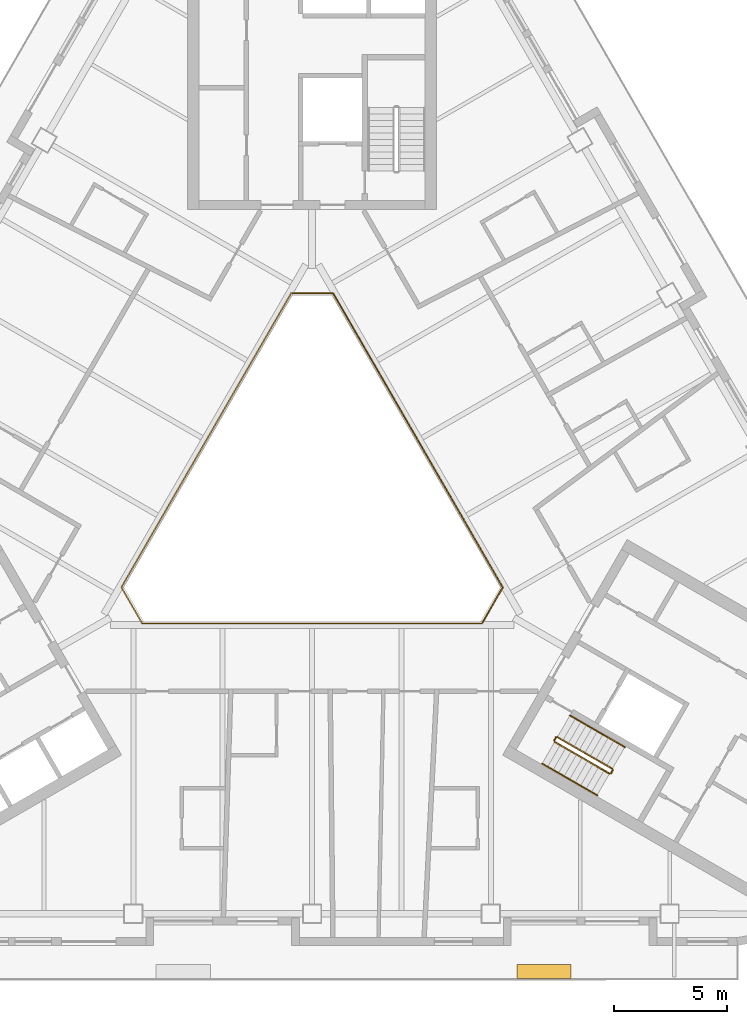
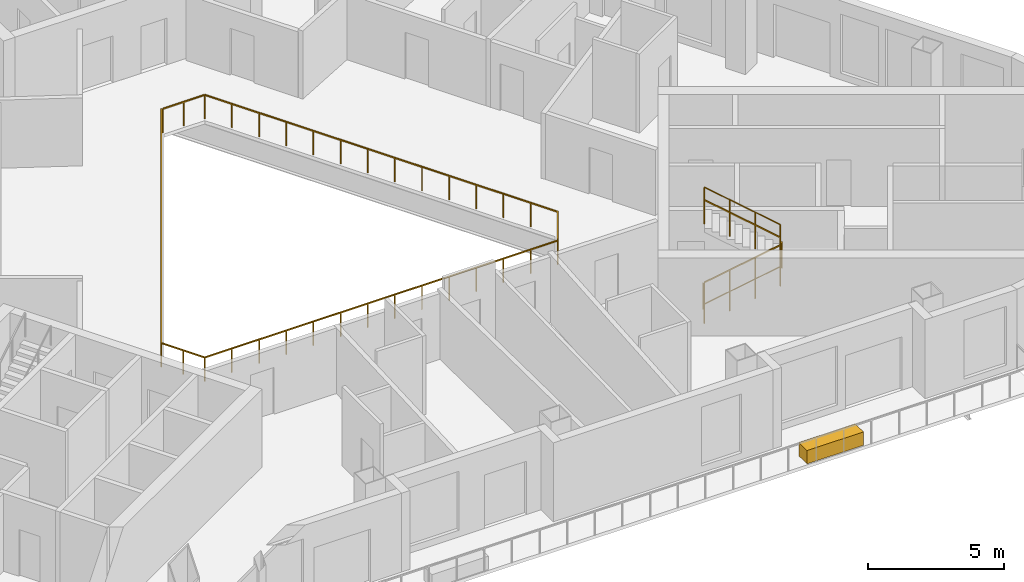
# One storey, part 12 of 14: 8 railings, 1 covering.
"""IFC4 building model written with IfcOpenShell, lengths in metres."""

from ifc_helpers import new_model, si_unit, direction, frame, origin, origin_2d, place, context, subcontext, project, spatial, rectangle, circle, extrude, material, type_object, element, save


model = new_model("IFC4")

# Units and contexts
model_context = context("Model", 3, precision=1e-05, world=origin(), true_north=direction((0.0, 1.0)))
body_context = subcontext(model_context, "Body", "Model", "MODEL_VIEW")
ifc_project = project(units=[si_unit("LENGTHUNIT", "METRE"), si_unit("AREAUNIT", "SQUARE_METRE"), si_unit("VOLUMEUNIT", "CUBIC_METRE"), si_unit("PLANEANGLEUNIT", "RADIAN"), si_unit("MASSUNIT", "GRAM", prefix="KILO")], contexts=[model_context])

# Site, building, storey
site_placement = place(None, origin())
site = spatial("IfcSite", under=ifc_project, at=site_placement, CompositionType="ELEMENT")
building_placement = place(site_placement, origin())
building = spatial("IfcBuilding", under=site, at=building_placement, Name="Apuvela Tower Hotel", CompositionType="ELEMENT")
storey_placement = place(building_placement, frame((0.0, 0.0, 172.5)))
storey = spatial("IfcBuildingStorey", under=building, at=storey_placement, Name="L41", CompositionType="ELEMENT", Elevation=172.5)

# Railings
ifc_material_1 = material(Name="Steel S275 balustrade", Category="steel")
railing_type_1 = type_object("IfcRailingType", Name="COR-GUARD-1100", PredefinedType="GUARDRAIL", material=ifc_material_1)
railing_1_placement = place(storey_placement, frame((10.718994140625, -10.63427734375, 0.168212890625)))
element("IfcRailing", 1, at=railing_1_placement, inside=storey, type_object=railing_type_1, Name="L41 ST3 stair guard 1", PredefinedType="GUARDRAIL", context=body_context, shape_type="SweptSolid", body=[
    extrude(rectangle(XDim=0.048095703125, YDim=0.048095703125, at=origin_2d()), frame((0.0, 0.0, 1.076171875), z_axis=(0.742390482028, -0.42860119049, 0.514934356695), x_axis=(0.49998411664, 0.866034573852, 0.0)), (0.0, 0.0, 1.0), 3.26611328125),
    extrude(rectangle(XDim=0.0419921875, YDim=0.0419921875, at=origin_2d()), origin(), (0.0, 0.0, 1.0), 1.052001953125),
    extrude(rectangle(XDim=0.0419921875, YDim=0.0419921875, at=origin_2d()), frame((0.808349609375, -0.466552734375, 0.560546875)), (0.0, 0.0, 1.0), 1.052001953125),
    extrude(rectangle(XDim=0.0419921875, YDim=0.0419921875, at=origin_2d()), frame((1.616455078125, -0.933349609375, 1.121337890625)), (0.0, 0.0, 1.0), 1.052001953125),
    extrude(rectangle(XDim=0.0419921875, YDim=0.0419921875, at=origin_2d()), frame((2.4248046875, -1.39990234375, 1.681884765625)), (0.0, 0.0, 1.0), 1.052001953125),
])
railing_2_placement = place(storey_placement, frame((13.212158203125, -12.015869140625, 1.85009765625)))
element("IfcRailing", 2, at=railing_2_placement, inside=storey, type_object=railing_type_1, Name="L41 ST3 stair guard 2", PredefinedType="GUARDRAIL", context=body_context, shape_type="SweptSolid", body=[
    extrude(rectangle(XDim=0.048095703125, YDim=0.048095703125, at=origin_2d()), frame((0.0, 0.0, 1.076171875), z_axis=(0.499816412211, 0.866131372301, 0.0), x_axis=(-0.866131372301, 0.499816412211, 0.0)), (0.0, 0.0, 1.0), 0.14990234375),
    extrude(rectangle(XDim=0.0419921875, YDim=0.0419921875, at=origin_2d()), origin(), (0.0, 0.0, 1.0), 1.052001953125),
    extrude(rectangle(XDim=0.0419921875, YDim=0.0419921875, at=origin_2d()), frame((0.074951171875, 0.1298828125, 0.0)), (0.0, 0.0, 1.0), 1.052001953125),
])
railing_3_placement = place(storey_placement, frame((13.268798828125, -11.817626953125, 2.01806640625)))
element("IfcRailing", 3, at=railing_3_placement, inside=storey, type_object=railing_type_1, Name="L41 ST3 stair guard 3", PredefinedType="GUARDRAIL", context=body_context, shape_type="SweptSolid", body=[
    extrude(rectangle(XDim=0.048095703125, YDim=0.048095703125, at=origin_2d()), frame((0.0, 0.0, 1.076171875), z_axis=(-0.742390482028, 0.42860119049, 0.514934356695), x_axis=(-0.49998411664, -0.866034573852, 0.0)), (0.0, 0.0, 1.0), 3.26611328125),
    extrude(rectangle(XDim=0.0419921875, YDim=0.0419921875, at=origin_2d()), origin(), (0.0, 0.0, 1.0), 1.052001953125),
    extrude(rectangle(XDim=0.0419921875, YDim=0.0419921875, at=origin_2d()), frame((-0.808349609375, 0.466552734375, 0.560546875)), (0.0, 0.0, 1.0), 1.052001953125),
    extrude(rectangle(XDim=0.0419921875, YDim=0.0419921875, at=origin_2d()), frame((-1.616455078125, 0.933349609375, 1.121337890625)), (0.0, 0.0, 1.0), 1.052001953125),
    extrude(rectangle(XDim=0.0419921875, YDim=0.0419921875, at=origin_2d()), frame((-2.4248046875, 1.39990234375, 1.681884765625)), (0.0, 0.0, 1.0), 1.052001953125),
])
railing_4_placement = place(storey_placement, frame((10.70068359375, -10.56591796875, 0.0)))
element("IfcRailing", 4, at=railing_4_placement, inside=storey, type_object=railing_type_1, Name="L41 ST3 stair guard 4", PredefinedType="GUARDRAIL", context=body_context, shape_type="SweptSolid", body=[
    extrude(rectangle(XDim=0.048095703125, YDim=0.048095703125, at=origin_2d()), frame((0.0, 0.0, 1.076171875), z_axis=(0.499816412211, 0.866131372301, 0.0), x_axis=(-0.866131372301, 0.499816412211, 0.0)), (0.0, 0.0, 1.0), 0.14990234375),
    extrude(rectangle(XDim=0.0419921875, YDim=0.0419921875, at=origin_2d()), origin(), (0.0, 0.0, 1.0), 1.052001953125),
    extrude(rectangle(XDim=0.0419921875, YDim=0.0419921875, at=origin_2d()), frame((0.074951171875, 0.1298828125, 0.0)), (0.0, 0.0, 1.0), 1.052001953125),
])
ifc_material_2 = material(Name="Stainless steel 316 handrail", Category="steel")
railing_type_2 = type_object("IfcRailingType", Name="COR-HANDRAIL-900", PredefinedType="HANDRAIL", material=ifc_material_2)
railing_5_placement = place(storey_placement, frame((10.1689453125, -11.5869140625, 0.168212890625)))
element("IfcRailing", 5, at=railing_5_placement, inside=storey, type_object=railing_type_2, Name="L41 ST3 stair handrail 1", PredefinedType="HANDRAIL", context=body_context, shape_type="SweptSolid", body=[
    extrude(circle(Radius=0.02392578125, at=origin_2d()), frame((0.0, 0.0, 0.8759765625), z_axis=(0.742390482028, -0.42860119049, 0.514934356695), x_axis=(0.49998411664, 0.866034573852, 0.0)), (0.0, 0.0, 1.0), 3.26611328125),
    extrude(rectangle(XDim=0.0419921875, YDim=0.0419921875, at=origin_2d()), origin(), (0.0, 0.0, 1.0), 0.851806640625),
    extrude(rectangle(XDim=0.0419921875, YDim=0.0419921875, at=origin_2d()), frame((0.808349609375, -0.466552734375, 0.560546875)), (0.0, 0.0, 1.0), 0.851806640625),
    extrude(rectangle(XDim=0.0419921875, YDim=0.0419921875, at=origin_2d()), frame((1.616455078125, -0.933349609375, 1.121337890625)), (0.0, 0.0, 1.0), 0.851806640625),
    extrude(rectangle(XDim=0.0419921875, YDim=0.0419921875, at=origin_2d()), frame((2.4248046875, -1.39990234375, 1.681884765625)), (0.0, 0.0, 1.0), 0.851806640625),
])
railing_6_placement = place(storey_placement, frame((13.81884765625, -10.864990234375, 2.01806640625)))
element("IfcRailing", 6, at=railing_6_placement, inside=storey, type_object=railing_type_2, Name="L41 ST3 stair handrail 2", PredefinedType="HANDRAIL", context=body_context, shape_type="SweptSolid", body=[
    extrude(circle(Radius=0.02392578125, at=origin_2d()), frame((0.0, 0.0, 0.8759765625), z_axis=(-0.742390482028, 0.42860119049, 0.514934356695), x_axis=(-0.49998411664, -0.866034573852, 0.0)), (0.0, 0.0, 1.0), 3.26611328125),
    extrude(rectangle(XDim=0.0419921875, YDim=0.0419921875, at=origin_2d()), origin(), (0.0, 0.0, 1.0), 0.851806640625),
    extrude(rectangle(XDim=0.0419921875, YDim=0.0419921875, at=origin_2d()), frame((-0.808349609375, 0.466552734375, 0.560546875)), (0.0, 0.0, 1.0), 0.851806640625),
    extrude(rectangle(XDim=0.0419921875, YDim=0.0419921875, at=origin_2d()), frame((-1.616455078125, 0.933349609375, 1.121337890625)), (0.0, 0.0, 1.0), 0.851806640625),
    extrude(rectangle(XDim=0.0419921875, YDim=0.0419921875, at=origin_2d()), frame((-2.4248046875, 1.39990234375, 1.681884765625)), (0.0, 0.0, 1.0), 0.851806640625),
])
ifc_material_3 = material(Name="Stainless steel 316 rail with laminated glass infill", Category="steel")
railing_type_3 = type_object("IfcRailingType", Name="ENV-GUARD-1100", PredefinedType="GUARDRAIL", material=ifc_material_3)
railing_7_placement = place(storey_placement, frame((-0.923828125, 9.199951171875, 0.0)))
element("IfcRailing", 7, at=railing_7_placement, inside=storey, type_object=railing_type_3, Name="Atrium void guard A L41", PredefinedType="GUARDRAIL", context=body_context, shape_type="SweptSolid", body=[
    extrude(rectangle(XDim=0.050048828125, YDim=0.050048828125, at=origin_2d()), frame((0.0, 0.0, 1.0751953125), z_axis=(-0.499990886379, -0.866030665472, 0.0), x_axis=(0.866030665472, -0.499990886379, 0.0)), (0.0, 0.0, 1.0), 15.010986328125),
    extrude(rectangle(XDim=0.050048828125, YDim=0.050048828125, at=origin_2d()), frame((-7.50537109375, -13.0, 1.0751953125), z_axis=(0.499962699187, -0.866046938348, 0.0), x_axis=(0.866046938348, 0.499962699187, 0.0)), (0.0, 0.0, 1.0), 1.847412109375),
    extrude(rectangle(XDim=0.050048828125, YDim=0.050048828125, at=origin_2d()), frame((-6.581787109375, -14.599853515625, 1.0751953125), z_axis=(1.0, 0.0, 0.0), x_axis=(0.0, 1.0, 0.0)), (0.0, 0.0, 1.0), 15.01123046875),
    extrude(rectangle(XDim=0.0400390625, YDim=0.0400390625, at=origin_2d()), origin(), (0.0, 0.0, 1.0), 1.050048828125),
    extrude(rectangle(XDim=0.0400390625, YDim=0.0400390625, at=origin_2d()), frame((-0.577392578125, -1.0, 0.0)), (0.0, 0.0, 1.0), 1.050048828125),
    extrude(rectangle(XDim=0.0400390625, YDim=0.0400390625, at=origin_2d()), frame((-1.15478515625, -2.0, 0.0)), (0.0, 0.0, 1.0), 1.050048828125),
    extrude(rectangle(XDim=0.0400390625, YDim=0.0400390625, at=origin_2d()), frame((-1.73193359375, -3.0, 0.0)), (0.0, 0.0, 1.0), 1.050048828125),
    extrude(rectangle(XDim=0.0400390625, YDim=0.0400390625, at=origin_2d()), frame((-2.309326171875, -4.0, 0.0)), (0.0, 0.0, 1.0), 1.050048828125),
    extrude(rectangle(XDim=0.0400390625, YDim=0.0400390625, at=origin_2d()), frame((-2.88671875, -5.0, 0.0)), (0.0, 0.0, 1.0), 1.050048828125),
    extrude(rectangle(XDim=0.0400390625, YDim=0.0400390625, at=origin_2d()), frame((-3.464111328125, -6.0, 0.0)), (0.0, 0.0, 1.0), 1.050048828125),
    extrude(rectangle(XDim=0.0400390625, YDim=0.0400390625, at=origin_2d()), frame((-4.041259765625, -7.0, 0.0)), (0.0, 0.0, 1.0), 1.050048828125),
    extrude(rectangle(XDim=0.0400390625, YDim=0.0400390625, at=origin_2d()), frame((-4.61865234375, -8.0, 0.0)), (0.0, 0.0, 1.0), 1.050048828125),
    extrude(rectangle(XDim=0.0400390625, YDim=0.0400390625, at=origin_2d()), frame((-5.196044921875, -9.0, 0.0)), (0.0, 0.0, 1.0), 1.050048828125),
    extrude(rectangle(XDim=0.0400390625, YDim=0.0400390625, at=origin_2d()), frame((-5.7734375, -10.0, 0.0)), (0.0, 0.0, 1.0), 1.050048828125),
    extrude(rectangle(XDim=0.0400390625, YDim=0.0400390625, at=origin_2d()), frame((-6.3505859375, -11.0, 0.0)), (0.0, 0.0, 1.0), 1.050048828125),
    extrude(rectangle(XDim=0.0400390625, YDim=0.0400390625, at=origin_2d()), frame((-6.927978515625, -12.0, 0.0)), (0.0, 0.0, 1.0), 1.050048828125),
    extrude(rectangle(XDim=0.0400390625, YDim=0.0400390625, at=origin_2d()), frame((-7.50537109375, -13.0, 0.0)), (0.0, 0.0, 1.0), 1.050048828125),
    extrude(rectangle(XDim=0.0400390625, YDim=0.0400390625, at=origin_2d()), frame((-7.04345703125, -13.7998046875, 0.0)), (0.0, 0.0, 1.0), 1.050048828125),
    extrude(rectangle(XDim=0.0400390625, YDim=0.0400390625, at=origin_2d()), frame((-6.581787109375, -14.599853515625, 0.0)), (0.0, 0.0, 1.0), 1.050048828125),
    extrude(rectangle(XDim=0.0400390625, YDim=0.0400390625, at=origin_2d()), frame((-5.427001953125, -14.599853515625, 0.0)), (0.0, 0.0, 1.0), 1.050048828125),
    extrude(rectangle(XDim=0.0400390625, YDim=0.0400390625, at=origin_2d()), frame((-4.2724609375, -14.599853515625, 0.0)), (0.0, 0.0, 1.0), 1.050048828125),
    extrude(rectangle(XDim=0.0400390625, YDim=0.0400390625, at=origin_2d()), frame((-3.11767578125, -14.599853515625, 0.0)), (0.0, 0.0, 1.0), 1.050048828125),
    extrude(rectangle(XDim=0.0400390625, YDim=0.0400390625, at=origin_2d()), frame((-1.962890625, -14.599853515625, 0.0)), (0.0, 0.0, 1.0), 1.050048828125),
    extrude(rectangle(XDim=0.0400390625, YDim=0.0400390625, at=origin_2d()), frame((-0.808349609375, -14.599853515625, 0.0)), (0.0, 0.0, 1.0), 1.050048828125),
    extrude(rectangle(XDim=0.0400390625, YDim=0.0400390625, at=origin_2d()), frame((0.346435546875, -14.599853515625, 0.0)), (0.0, 0.0, 1.0), 1.050048828125),
    extrude(rectangle(XDim=0.0400390625, YDim=0.0400390625, at=origin_2d()), frame((1.501220703125, -14.599853515625, 0.0)), (0.0, 0.0, 1.0), 1.050048828125),
    extrude(rectangle(XDim=0.0400390625, YDim=0.0400390625, at=origin_2d()), frame((2.656005859375, -14.599853515625, 0.0)), (0.0, 0.0, 1.0), 1.050048828125),
    extrude(rectangle(XDim=0.0400390625, YDim=0.0400390625, at=origin_2d()), frame((3.810546875, -14.599853515625, 0.0)), (0.0, 0.0, 1.0), 1.050048828125),
    extrude(rectangle(XDim=0.0400390625, YDim=0.0400390625, at=origin_2d()), frame((4.96533203125, -14.599853515625, 0.0)), (0.0, 0.0, 1.0), 1.050048828125),
    extrude(rectangle(XDim=0.0400390625, YDim=0.0400390625, at=origin_2d()), frame((6.1201171875, -14.599853515625, 0.0)), (0.0, 0.0, 1.0), 1.050048828125),
    extrude(rectangle(XDim=0.0400390625, YDim=0.0400390625, at=origin_2d()), frame((7.274658203125, -14.599853515625, 0.0)), (0.0, 0.0, 1.0), 1.050048828125),
    extrude(rectangle(XDim=0.0400390625, YDim=0.0400390625, at=origin_2d()), frame((8.429443359375, -14.599853515625, 0.0)), (0.0, 0.0, 1.0), 1.050048828125),
])
railing_8_placement = place(storey_placement, frame((7.53564453125, -5.347900390625, 0.0)))
element("IfcRailing", 8, at=railing_8_placement, inside=storey, type_object=railing_type_3, Name="Atrium void guard B L41", PredefinedType="GUARDRAIL", context=body_context, shape_type="SweptSolid", body=[
    extrude(rectangle(XDim=0.050048828125, YDim=0.050048828125, at=origin_2d()), frame((0.0, 0.0, 1.0751953125), z_axis=(0.499958946799, 0.866049104564, 0.0), x_axis=(-0.866049104564, 0.499958946799, 0.0)), (0.0, 0.0, 1.0), 1.787353515625),
    extrude(rectangle(XDim=0.050048828125, YDim=0.050048828125, at=origin_2d()), frame((0.8935546875, 1.5478515625, 1.0751953125), z_axis=(-0.499990886379, 0.866030665472, 0.0), x_axis=(-0.866030665472, -0.499990886379, 0.0)), (0.0, 0.0, 1.0), 15.010986328125),
    extrude(rectangle(XDim=0.050048828125, YDim=0.050048828125, at=origin_2d()), frame((-6.61181640625, 14.5478515625, 1.0751953125), z_axis=(-1.0, 0.0, 0.0), x_axis=(0.0, -1.0, 0.0)), (0.0, 0.0, 1.0), 1.78759765625),
    extrude(rectangle(XDim=0.0400390625, YDim=0.0400390625, at=origin_2d()), origin(), (0.0, 0.0, 1.0), 1.050048828125),
    extrude(rectangle(XDim=0.0400390625, YDim=0.0400390625, at=origin_2d()), frame((0.44677734375, 0.77392578125, 0.0)), (0.0, 0.0, 1.0), 1.050048828125),
    extrude(rectangle(XDim=0.0400390625, YDim=0.0400390625, at=origin_2d()), frame((0.8935546875, 1.5478515625, 0.0)), (0.0, 0.0, 1.0), 1.050048828125),
    extrude(rectangle(XDim=0.0400390625, YDim=0.0400390625, at=origin_2d()), frame((0.316162109375, 2.5478515625, 0.0)), (0.0, 0.0, 1.0), 1.050048828125),
    extrude(rectangle(XDim=0.0400390625, YDim=0.0400390625, at=origin_2d()), frame((-0.26123046875, 3.5478515625, 0.0)), (0.0, 0.0, 1.0), 1.050048828125),
    extrude(rectangle(XDim=0.0400390625, YDim=0.0400390625, at=origin_2d()), frame((-0.83837890625, 4.5478515625, 0.0)), (0.0, 0.0, 1.0), 1.050048828125),
    extrude(rectangle(XDim=0.0400390625, YDim=0.0400390625, at=origin_2d()), frame((-1.415771484375, 5.5478515625, 0.0)), (0.0, 0.0, 1.0), 1.050048828125),
    extrude(rectangle(XDim=0.0400390625, YDim=0.0400390625, at=origin_2d()), frame((-1.9931640625, 6.5478515625, 0.0)), (0.0, 0.0, 1.0), 1.050048828125),
    extrude(rectangle(XDim=0.0400390625, YDim=0.0400390625, at=origin_2d()), frame((-2.570556640625, 7.5478515625, 0.0)), (0.0, 0.0, 1.0), 1.050048828125),
    extrude(rectangle(XDim=0.0400390625, YDim=0.0400390625, at=origin_2d()), frame((-3.147705078125, 8.5478515625, 0.0)), (0.0, 0.0, 1.0), 1.050048828125),
    extrude(rectangle(XDim=0.0400390625, YDim=0.0400390625, at=origin_2d()), frame((-3.72509765625, 9.5478515625, 0.0)), (0.0, 0.0, 1.0), 1.050048828125),
    extrude(rectangle(XDim=0.0400390625, YDim=0.0400390625, at=origin_2d()), frame((-4.302490234375, 10.5478515625, 0.0)), (0.0, 0.0, 1.0), 1.050048828125),
    extrude(rectangle(XDim=0.0400390625, YDim=0.0400390625, at=origin_2d()), frame((-4.8798828125, 11.5478515625, 0.0)), (0.0, 0.0, 1.0), 1.050048828125),
    extrude(rectangle(XDim=0.0400390625, YDim=0.0400390625, at=origin_2d()), frame((-5.45703125, 12.5478515625, 0.0)), (0.0, 0.0, 1.0), 1.050048828125),
    extrude(rectangle(XDim=0.0400390625, YDim=0.0400390625, at=origin_2d()), frame((-6.034423828125, 13.5478515625, 0.0)), (0.0, 0.0, 1.0), 1.050048828125),
    extrude(rectangle(XDim=0.0400390625, YDim=0.0400390625, at=origin_2d()), frame((-6.61181640625, 14.5478515625, 0.0)), (0.0, 0.0, 1.0), 1.050048828125),
    extrude(rectangle(XDim=0.0400390625, YDim=0.0400390625, at=origin_2d()), frame((-7.505615234375, 14.5478515625, 0.0)), (0.0, 0.0, 1.0), 1.050048828125),
    extrude(rectangle(XDim=0.0400390625, YDim=0.0400390625, at=origin_2d()), frame((-8.3994140625, 14.5478515625, 0.0)), (0.0, 0.0, 1.0), 1.050048828125),
])

# Covering
ifc_material_4 = material(Name="Planting substrate and soil, planted")
covering_type = type_object("IfcCoveringType", Name="ENV-PLANTER-2400x600", PredefinedType="USERDEFINED", material=ifc_material_4)
covering_placement = place(storey_placement, frame((10.250244140625, -20.780029296875, 0.0), z_axis=(0.0, 0.0, 1.0), x_axis=(1.0, 0.0, 0.0)))
element("IfcCovering", 9, at=covering_placement, inside=storey, type_object=covering_type, Name="Planter S2", ObjectType="PLANTER", PredefinedType="USERDEFINED", context=body_context, shape_type="SweptSolid", body=[
    extrude(rectangle(XDim=2.39990234375, YDim=0.60009765625, at=origin_2d()), origin(), (0.0, 0.0, 1.0), 0.60009765625),
])

save(model, "model.ifc")
